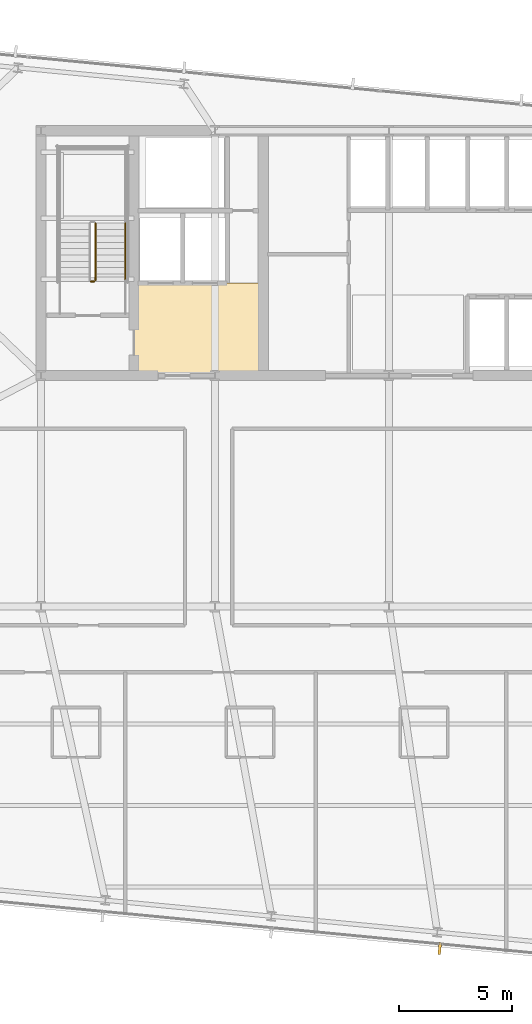
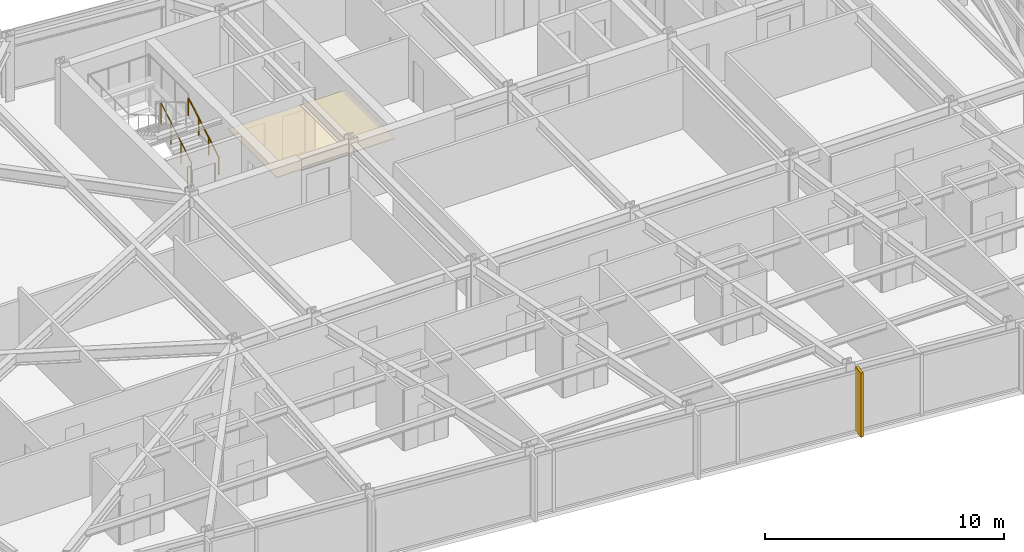
# One storey, part 33 of 37: 3 railings, 1 covering, 1 shading device.
"""IFC4 building model written with IfcOpenShell, lengths in metres."""

from ifc_helpers import new_model, si_unit, direction, frame, origin, origin_2d, place, context, subcontext, project, spatial, polyline, rectangle, circle, outline, extrude, material, layer, layer_set, type_object, element, save


model = new_model("IFC4")

# Units and contexts
model_context = context("Model", 3, precision=1e-05, world=origin(), true_north=direction((0.0, 1.0)))
body_context = subcontext(model_context, "Body", "Model", "MODEL_VIEW")
ifc_project = project(units=[si_unit("LENGTHUNIT", "METRE"), si_unit("AREAUNIT", "SQUARE_METRE"), si_unit("VOLUMEUNIT", "CUBIC_METRE"), si_unit("PLANEANGLEUNIT", "RADIAN"), si_unit("MASSUNIT", "GRAM", prefix="KILO")], contexts=[model_context])

# Site, building, storey
site_placement = place(None, origin())
site = spatial("IfcSite", under=ifc_project, at=site_placement, CompositionType="ELEMENT")
building_placement = place(site_placement, origin())
building = spatial("IfcBuilding", under=site, at=building_placement, Name="Yelkora Congress Tower", CompositionType="ELEMENT")
storey_placement = place(building_placement, frame((0.0, 0.0, 165.5)))
storey = spatial("IfcBuildingStorey", under=building, at=storey_placement, Name="L45", CompositionType="ELEMENT", Elevation=165.5)

# Covering
ifc_material_1 = material(Name="Perforated mineral-fibre acoustic ceiling", Category="gypsum")
ifc_layer_1 = layer(ifc_material_1, 0.0400390625)
ifc_layer_set_1 = layer_set([ifc_layer_1], Name="Perforated mineral-fibre acoustic ceiling")
covering_type = type_object("IfcCoveringType", Name="COV-CEIL-ACOUSTIC-40", PredefinedType="CEILING", material=ifc_layer_set_1)
covering_placement = place(storey_placement, frame((0.0, 0.0, 2.39990234375)))
element("IfcCovering", 1, at=covering_placement, inside=storey, type_object=covering_type, Name="L45 Firefighting Lobby Acoustic Ceiling", PredefinedType="CEILING", context=body_context, shape_type="SweptSolid", body=[
    extrude(outline(polyline([(27.14990234375, 35.39990234375), (32.85009765625, 35.39990234375), (32.85009765625, 39.47998046875), (27.14990234375, 39.47998046875), (27.14990234375, 35.39990234375)])), origin(), (0.0, 0.0, 1.0), 0.0400390625),
])

# Railings
ifc_material_2 = material(Name="Painted galvanised steel stair well guard with vertical infill", Category="steel")
ifc_layer_2 = layer(ifc_material_2, 0.06005859375)
ifc_layer_set_2 = layer_set([ifc_layer_2], Name="Painted galvanised steel stair well guard with vertical infill")
railing_type_1 = type_object("IfcRailingType", Name="RAIL-STAIR-GUARD-1120", PredefinedType="GUARDRAIL", material=ifc_layer_set_2)
railing_1_placement = place(storey_placement, frame((25.449951171875, 39.60009765625, 0.1650390625)))
element("IfcRailing", 2, at=railing_1_placement, inside=storey, type_object=railing_type_1, Name="ST-01 L45 Stair Well Guardrail 1", PredefinedType="GUARDRAIL", context=body_context, shape_type="SweptSolid", body=[
    extrude(circle(Radius=0.02392578125, at=origin_2d()), frame((0.0, 0.0, 1.09619140625), z_axis=(0.0, 0.861560626758, 0.507654692109), x_axis=(-1.0, 0.0, 0.0)), (0.0, 0.0, 1.0), 2.925048828125),
    extrude(circle(Radius=0.02099609375, at=origin_2d()), origin(), (0.0, 0.0, 1.0), 1.072021484375),
    extrude(circle(Radius=0.02099609375, at=origin_2d()), frame((0.0, 0.840087890625, 0.494873046875)), (0.0, 0.0, 1.0), 1.072021484375),
    extrude(circle(Radius=0.02099609375, at=origin_2d()), frame((0.0, 1.679931640625, 0.989990234375)), (0.0, 0.0, 1.0), 1.072021484375),
    extrude(circle(Radius=0.02099609375, at=origin_2d()), frame((0.0, 2.52001953125, 1.48486328125)), (0.0, 0.0, 1.0), 1.072021484375),
])
railing_2_placement = place(storey_placement, frame((25.39990234375, 39.550048828125, 0.0)))
element("IfcRailing", 3, at=railing_2_placement, inside=storey, type_object=railing_type_1, Name="ST-01 L45 Stair Well Guardrail 7", PredefinedType="GUARDRAIL", context=body_context, shape_type="SweptSolid", body=[
    extrude(circle(Radius=0.02392578125, at=origin_2d()), frame((0.0, 0.0, 1.09619140625), z_axis=(-1.0, 0.0, 0.0), x_axis=(0.0, -1.0, 0.0)), (0.0, 0.0, 1.0), 0.159912109375),
    extrude(circle(Radius=0.02099609375, at=origin_2d()), origin(), (0.0, 0.0, 1.0), 1.072021484375),
    extrude(circle(Radius=0.02099609375, at=origin_2d()), frame((-0.159912109375, 0.0, 0.0)), (0.0, 0.0, 1.0), 1.072021484375),
])
ifc_material_3 = material(Name="Brushed stainless steel tubular handrail", Category="steel")
ifc_layer_3 = layer(ifc_material_3, 0.050048828125)
ifc_layer_set_3 = layer_set([ifc_layer_3], Name="Brushed stainless steel tubular handrail")
railing_type_2 = type_object("IfcRailingType", Name="RAIL-STAIR-HAND-920", PredefinedType="HANDRAIL", material=ifc_layer_set_3)
railing_3_placement = place(storey_placement, frame((26.77001953125, 39.60009765625, 0.1650390625)))
element("IfcRailing", 4, at=railing_3_placement, inside=storey, type_object=railing_type_2, Name="ST-01 L45 Pitch Handrail 1", PredefinedType="HANDRAIL", context=body_context, shape_type="SweptSolid", body=[
    extrude(circle(Radius=0.02392578125, at=origin_2d()), frame((0.0, 0.0, 0.89599609375), z_axis=(0.0, 0.861560626758, 0.507654692109), x_axis=(-1.0, 0.0, 0.0)), (0.0, 0.0, 1.0), 2.925048828125),
    extrude(circle(Radius=0.02099609375, at=origin_2d()), origin(), (0.0, 0.0, 1.0), 0.871826171875),
    extrude(circle(Radius=0.02099609375, at=origin_2d()), frame((0.0, 0.840087890625, 0.494873046875)), (0.0, 0.0, 1.0), 0.871826171875),
    extrude(circle(Radius=0.02099609375, at=origin_2d()), frame((0.0, 1.679931640625, 0.989990234375)), (0.0, 0.0, 1.0), 0.871826171875),
    extrude(circle(Radius=0.02099609375, at=origin_2d()), frame((0.0, 2.52001953125, 1.48486328125)), (0.0, 0.0, 1.0), 0.871826171875),
])

# Shading device
ifc_material_4 = material(Name="Champagne anodised aluminium", Category="aluminium")
ifc_layer_4 = layer(ifc_material_4, 3.300048828125)
ifc_layer_set_4 = layer_set([ifc_layer_4], Name="Champagne anodised aluminium")
shading_device_type = type_object("IfcShadingDeviceType", Name="SHD-FIN-ALU-520", PredefinedType="USERDEFINED", material=ifc_layer_set_4)
shading_device_placement = place(storey_placement, frame((40.642333984375, 10.10791015625, -0.02978515625), z_axis=(0.0, 0.0, 1.0), x_axis=(-0.995396198367, 0.09584575252, 0.0)))
element("IfcShadingDevice", 5, at=shading_device_placement, inside=storey, type_object=shading_device_type, Name="L45 Vertical Anodised Solar Fin 20-2", ObjectType="FIN", PredefinedType="USERDEFINED", context=body_context, shape_type="SweptSolid", body=[
    extrude(rectangle(XDim=0.1201171875, YDim=0.52001953125, at=origin_2d()), origin(), (0.0, 0.0, 1.0), 3.280029296875),
])

save(model, "model.ifc")
